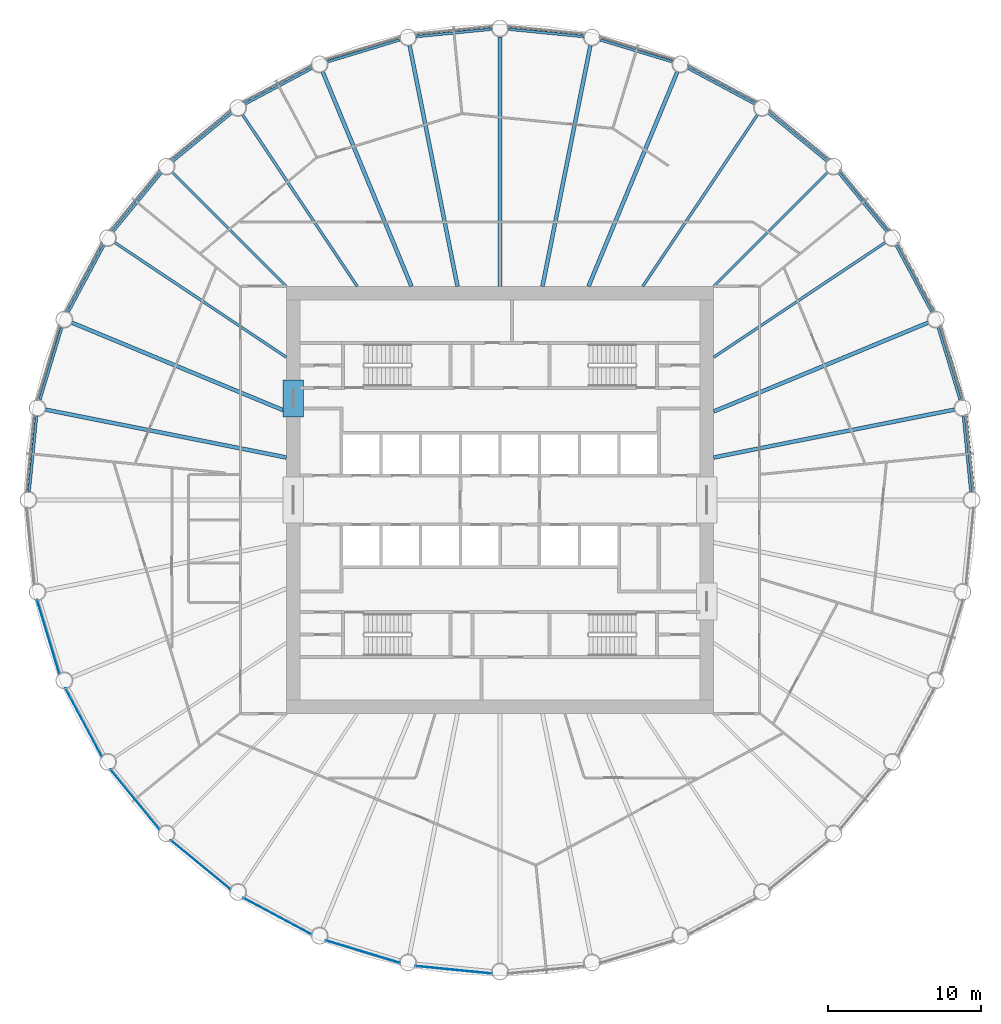
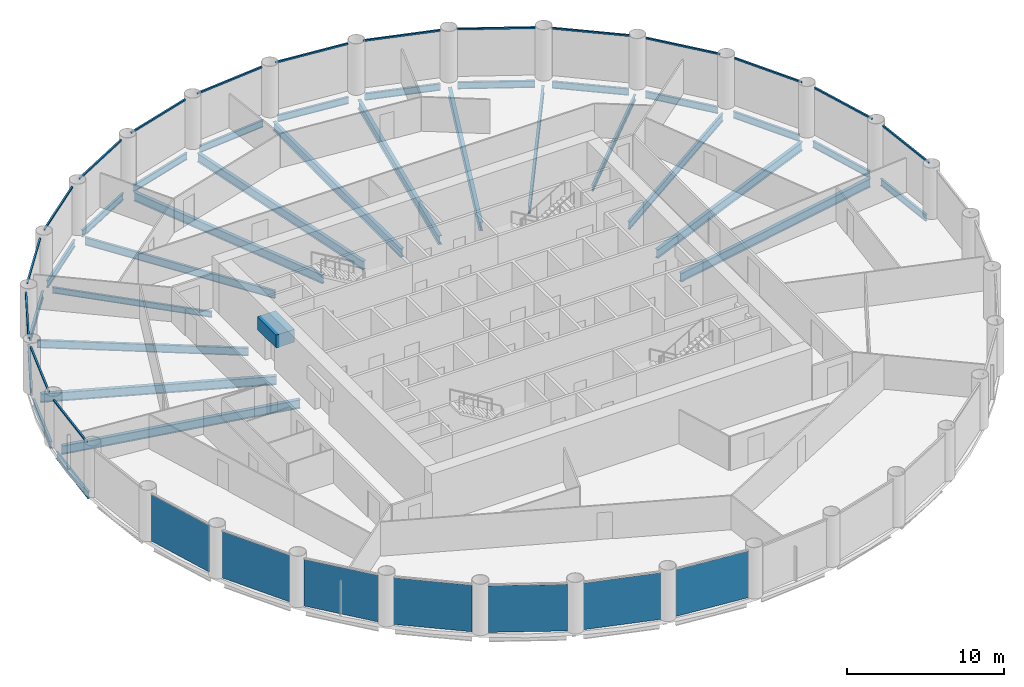
# One storey, part 2 of 9: 32 beams, 16 members, 7 plates, 23 elements without a shape of their own.
"""IFC4 building model written with IfcOpenShell, lengths in metres."""

from ifc_helpers import new_model, si_unit, direction, frame, origin, origin_2d, place, context, subcontext, project, spatial, rectangle, i_section, extrude, material, layer, layer_set, material_profile, profile_set, type_object, element, aggregate, save


model = new_model("IFC4")

# Units and contexts
model_context = context("Model", 3, precision=1e-05, world=origin(), true_north=direction((0.0, 1.0)))
body_context = subcontext(model_context, "Body", "Model", "MODEL_VIEW")
ifc_project = project(units=[si_unit("LENGTHUNIT", "METRE"), si_unit("AREAUNIT", "SQUARE_METRE"), si_unit("VOLUMEUNIT", "CUBIC_METRE"), si_unit("PLANEANGLEUNIT", "RADIAN"), si_unit("MASSUNIT", "GRAM", prefix="KILO")], contexts=[model_context])

# Site, building, storey
site_placement = place(None, origin())
site = spatial("IfcSite", under=ifc_project, at=site_placement, CompositionType="ELEMENT")
building_placement = place(site_placement, origin())
building = spatial("IfcBuilding", under=site, at=building_placement, Name="Corvane Civic Tower", CompositionType="ELEMENT")
storey_placement = place(building_placement, frame((0.0, 0.0, 192.0)))
storey = spatial("IfcBuildingStorey", under=building, at=storey_placement, Name="L45", CompositionType="ELEMENT", Elevation=192.0)

# Beams
ifc_material_1 = material(Name="Concrete C60/75", Category="concrete")
ifc_material_profile_1 = material_profile(ifc_material_1, rectangle(XDim=1.35009765625, YDim=1.0, at=origin_2d()), Name="COUPLING BEAM 1350X1000")
ifc_profile_set_1 = profile_set([ifc_material_profile_1], Name="Concrete C60/75")
beam_type_1 = type_object("IfcBeamType", Name="COUPLING BEAM COUPLING BEAM 1350X1000", PredefinedType="BEAM", material=ifc_profile_set_1)
beam_1_placement = place(storey_placement, frame((-13.550048828125, 5.449951171875, 2.60009765625), z_axis=(0.0, 1.0, 0.0), x_axis=(-1.0, 0.0, 0.0)))
element("IfcBeam", 1, at=beam_1_placement, inside=storey, type_object=beam_type_1, Name="BM-L45-cpl-CW-WN", PredefinedType="BEAM", context=body_context, shape_type="SweptSolid", body=[
    extrude(rectangle(XDim=1.35009765625, YDim=1.0, at=origin_2d()), origin(), (0.0, 0.0, 1.0), 2.400146484375),
])
ifc_material_2 = material(Name="Steel ASTM A992 Gr 50", Category="steel")
ifc_material_profile_2 = material_profile(ifc_material_2, i_section(OverallWidth=0.165771484375, OverallDepth=0.5283203125, WebThickness=0.009765625, FlangeThickness=0.013671875, at=origin_2d()), Name="W21X50")
ifc_profile_set_2 = profile_set([ifc_material_profile_2], Name="Steel ASTM A992 Gr 50")
beam_type_2 = type_object("IfcBeamType", Name="EDGE BEAM W21X50", PredefinedType="BEAM", material=ifc_profile_set_2)
beam_2_placement = place(storey_placement, frame((0.54736328125, 30.845947265625, -0.564208984375), z_axis=(0.995186236294, -0.09800181167, 0.0), x_axis=(0.09800181167, 0.995186236294, 0.0)))
element("IfcBeam", 2, at=beam_2_placement, inside=storey, type_object=beam_type_2, Name="BM-L45-E01", PredefinedType="BEAM", context=body_context, shape_type="SweptSolid", body=[
    extrude(i_section(OverallWidth=0.165771484375, OverallDepth=0.5283203125, WebThickness=0.009765625, FlangeThickness=0.013671875, at=origin_2d()), origin(), (0.0, 0.0, 1.0), 4.95751953125),
])
beam_3_placement = place(storey_placement, frame((6.5546875, 30.146484375, -0.564208984375), z_axis=(0.956944842086, -0.290269821381, 0.0), x_axis=(0.290269821381, 0.956944842086, 0.0)))
element("IfcBeam", 3, at=beam_3_placement, inside=storey, type_object=beam_type_2, Name="BM-L45-E02", PredefinedType="BEAM", context=body_context, shape_type="SweptSolid", body=[
    extrude(i_section(OverallWidth=0.165771484375, OverallDepth=0.5283203125, WebThickness=0.009765625, FlangeThickness=0.013671875, at=origin_2d()), origin(), (0.0, 0.0, 1.0), 4.957275390625),
])
for number, where, z_axis, x_axis, name in (
    (4, (12.31005859375, 28.28857421875, -0.564208984375), (0.881921784846, -0.471395763042, 0.0), (0.471395763042, 0.881921784846, 0.0), "BM-L45-E03"),
    (5, (17.59228515625, 25.343505859375, -0.564208984375), (0.77301516208, -0.634387546532, 0.0), (0.634387546532, 0.77301516208, 0.0), "BM-L45-E04"),
    (6, (22.198486328125, 21.424560546875, -0.564208984375), (0.634387546532, -0.77301516208, 0.0), (0.77301516208, 0.634387546532, 0.0), "BM-L45-E05"),
    (7, (25.95166015625, 16.68212890625, -0.564208984375), (0.471395763042, -0.881921784846, 0.0), (0.881921784846, 0.471395763042, 0.0), "BM-L45-E06"),
):
    element("IfcBeam", number, at=place(storey_placement, frame(where, z_axis=z_axis, x_axis=x_axis)), inside=storey, type_object=beam_type_2, Name=name, PredefinedType="BEAM", context=body_context, shape_type="SweptSolid", body=[
        extrude(i_section(OverallWidth=0.165771484375, OverallDepth=0.5283203125, WebThickness=0.009765625, FlangeThickness=0.013671875, at=origin_2d()), origin(), (0.0, 0.0, 1.0), 4.95751953125),
    ])
beam_4_placement = place(storey_placement, frame((28.70751953125, 11.298583984375, -0.564208984375), z_axis=(0.290269821381, -0.956944842086, 0.0), x_axis=(0.956944842086, 0.290269821381, 0.0)))
element("IfcBeam", 8, at=beam_4_placement, inside=storey, type_object=beam_type_2, Name="BM-L45-E07", PredefinedType="BEAM", context=body_context, shape_type="SweptSolid", body=[
    extrude(i_section(OverallWidth=0.165771484375, OverallDepth=0.5283203125, WebThickness=0.009765625, FlangeThickness=0.013671875, at=origin_2d()), origin(), (0.0, 0.0, 1.0), 4.957275390625),
])
for number, where, z_axis, x_axis, name in (
    (9, (30.360107421875, 5.48095703125, -0.564208984375), (0.09800181167, -0.995186236294, 0.0), (0.995186236294, 0.09800181167, 0.0), "BM-L45-E08"),
    (10, (-30.845947265625, 0.54736328125, -0.564208984375), (0.09800181167, 0.995186236294, 0.0), (-0.995186236294, 0.09800181167, 0.0), "BM-L45-E25"),
):
    element("IfcBeam", number, at=place(storey_placement, frame(where, z_axis=z_axis, x_axis=x_axis)), inside=storey, type_object=beam_type_2, Name=name, PredefinedType="BEAM", context=body_context, shape_type="SweptSolid", body=[
        extrude(i_section(OverallWidth=0.165771484375, OverallDepth=0.5283203125, WebThickness=0.009765625, FlangeThickness=0.013671875, at=origin_2d()), origin(), (0.0, 0.0, 1.0), 4.95751953125),
    ])
beam_5_placement = place(storey_placement, frame((-30.146484375, 6.5546875, -0.564208984375), z_axis=(0.290269821381, 0.956944842086, 0.0), x_axis=(-0.956944842086, 0.290269821381, 0.0)))
element("IfcBeam", 11, at=beam_5_placement, inside=storey, type_object=beam_type_2, Name="BM-L45-E26", PredefinedType="BEAM", context=body_context, shape_type="SweptSolid", body=[
    extrude(i_section(OverallWidth=0.165771484375, OverallDepth=0.5283203125, WebThickness=0.009765625, FlangeThickness=0.013671875, at=origin_2d()), origin(), (0.0, 0.0, 1.0), 4.957275390625),
])
for number, where, z_axis, x_axis, name in (
    (12, (-28.28857421875, 12.31005859375, -0.564208984375), (0.471395763042, 0.881921784846, 0.0), (-0.881921784846, 0.471395763042, 0.0), "BM-L45-E27"),
    (13, (-25.343505859375, 17.59228515625, -0.564208984375), (0.634387546532, 0.77301516208, 0.0), (-0.77301516208, 0.634387546532, 0.0), "BM-L45-E28"),
    (14, (-21.424560546875, 22.198486328125, -0.564208984375), (0.77301516208, 0.634387546532, 0.0), (-0.634387546532, 0.77301516208, 0.0), "BM-L45-E29"),
    (15, (-16.68212890625, 25.95166015625, -0.564208984375), (0.881921784846, 0.471395763042, 0.0), (-0.471395763042, 0.881921784846, 0.0), "BM-L45-E30"),
):
    element("IfcBeam", number, at=place(storey_placement, frame(where, z_axis=z_axis, x_axis=x_axis)), inside=storey, type_object=beam_type_2, Name=name, PredefinedType="BEAM", context=body_context, shape_type="SweptSolid", body=[
        extrude(i_section(OverallWidth=0.165771484375, OverallDepth=0.5283203125, WebThickness=0.009765625, FlangeThickness=0.013671875, at=origin_2d()), origin(), (0.0, 0.0, 1.0), 4.95751953125),
    ])
beam_6_placement = place(storey_placement, frame((-11.298583984375, 28.70751953125, -0.564208984375), z_axis=(0.956944842086, 0.290269821381, 0.0), x_axis=(-0.290269821381, 0.956944842086, 0.0)))
element("IfcBeam", 16, at=beam_6_placement, inside=storey, type_object=beam_type_2, Name="BM-L45-E31", PredefinedType="BEAM", context=body_context, shape_type="SweptSolid", body=[
    extrude(i_section(OverallWidth=0.165771484375, OverallDepth=0.5283203125, WebThickness=0.009765625, FlangeThickness=0.013671875, at=origin_2d()), origin(), (0.0, 0.0, 1.0), 4.957275390625),
])
beam_7_placement = place(storey_placement, frame((-5.48095703125, 30.360107421875, -0.564208984375), z_axis=(0.995186236294, 0.09800181167, 0.0), x_axis=(-0.09800181167, 0.995186236294, 0.0)))
element("IfcBeam", 17, at=beam_7_placement, inside=storey, type_object=beam_type_2, Name="BM-L45-E32", PredefinedType="BEAM", context=body_context, shape_type="SweptSolid", body=[
    extrude(i_section(OverallWidth=0.165771484375, OverallDepth=0.5283203125, WebThickness=0.009765625, FlangeThickness=0.013671875, at=origin_2d()), origin(), (0.0, 0.0, 1.0), 4.95751953125),
])
ifc_material_3 = material(Name="Steel ASTM A992 Gr 50", Category="steel")
ifc_material_profile_3 = material_profile(ifc_material_3, i_section(OverallWidth=0.15283203125, OverallDepth=0.45458984375, WebThickness=0.008056640625, FlangeThickness=0.013427734375, at=origin_2d()), Name="W18X40")
ifc_profile_set_3 = profile_set([ifc_material_profile_3], Name="Steel ASTM A992 Gr 50")
beam_type_3 = type_object("IfcBeamType", Name="FLOOR GIRDER W18X40", PredefinedType="BEAM", material=ifc_profile_set_3)
for number, where, z_axis, x_axis, name in (
    (18, (14.0, 14.0, -0.52734375), (0.707106781187, 0.707106781187, 0.0), (-0.707106781187, 0.707106781187, 0.0), "BM-L45-G05"),
    (19, (-14.0, 14.0, -0.52734375), (-0.707106781187, 0.707106781187, 0.0), (-0.707106781187, -0.707106781187, 0.0), "BM-L45-G29"),
):
    element("IfcBeam", number, at=place(storey_placement, frame(where, z_axis=z_axis, x_axis=x_axis)), inside=storey, type_object=beam_type_3, Name=name, PredefinedType="BEAM", context=body_context, shape_type="SweptSolid", body=[
        extrude(i_section(OverallWidth=0.15283203125, OverallDepth=0.45458984375, WebThickness=0.008056640625, FlangeThickness=0.013427734375, at=origin_2d()), origin(), (0.0, 0.0, 1.0), 10.551025390625),
    ])
ifc_material_4 = material(Name="Steel ASTM A992 Gr 50", Category="steel")
ifc_material_profile_4 = material_profile(ifc_material_4, i_section(OverallWidth=0.177978515625, OverallDepth=0.599365234375, WebThickness=0.010009765625, FlangeThickness=0.012939453125, at=origin_2d()), Name="W24X55")
ifc_profile_set_4 = profile_set([ifc_material_profile_4], Name="Steel ASTM A992 Gr 50")
beam_type_4 = type_object("IfcBeamType", Name="FLOOR GIRDER W24X55", PredefinedType="BEAM", material=ifc_profile_set_4)
for number, where, z_axis, x_axis, name in (
    (20, (9.3544921875, 14.0, -0.599609375), (0.555571323015, 0.83146888399, 0.0), (-0.83146888399, 0.555571323015, 0.0), "BM-L45-G04"),
    (21, (14.0, 9.3544921875, -0.599609375), (0.83146888399, 0.555571323015, 0.0), (-0.555571323015, 0.83146888399, 0.0), "BM-L45-G06"),
    (22, (-14.0, 9.3544921875, -0.599609375), (-0.83146888399, 0.555571323015, 0.0), (-0.555571323015, -0.83146888399, 0.0), "BM-L45-G28"),
    (23, (-9.3544921875, 14.0, -0.599609375), (-0.555571323015, 0.83146888399, 0.0), (-0.83146888399, -0.555571323015, 0.0), "BM-L45-G30"),
):
    element("IfcBeam", number, at=place(storey_placement, frame(where, z_axis=z_axis, x_axis=x_axis)), inside=storey, type_object=beam_type_4, Name=name, PredefinedType="BEAM", context=body_context, shape_type="SweptSolid", body=[
        extrude(i_section(OverallWidth=0.177978515625, OverallDepth=0.599365234375, WebThickness=0.010009765625, FlangeThickness=0.012939453125, at=origin_2d()), origin(), (0.0, 0.0, 1.0), 13.512451171875),
    ])
ifc_material_5 = material(Name="Steel ASTM A992 Gr 50", Category="steel")
ifc_material_profile_5 = material_profile(ifc_material_5, i_section(OverallWidth=0.25390625, OverallDepth=0.67822265625, WebThickness=0.01171875, FlangeThickness=0.016357421875, at=origin_2d()), Name="W27X84")
ifc_profile_set_5 = profile_set([ifc_material_profile_5], Name="Steel ASTM A992 Gr 50")
beam_type_5 = type_object("IfcBeamType", Name="FLOOR GIRDER W27X84", PredefinedType="BEAM", material=ifc_profile_set_5)
beam_8_placement = place(storey_placement, frame((0.0, 14.0, -0.63916015625), z_axis=(0.0, 1.0, 0.0), x_axis=(-1.0, 0.0, 0.0)))
element("IfcBeam", 24, at=beam_8_placement, inside=storey, type_object=beam_type_5, Name="BM-L45-G01", PredefinedType="BEAM", context=body_context, shape_type="SweptSolid", body=[
    extrude(i_section(OverallWidth=0.25390625, OverallDepth=0.67822265625, WebThickness=0.01171875, FlangeThickness=0.016357421875, at=origin_2d()), origin(), (0.0, 0.0, 1.0), 16.35009765625),
])
beam_9_placement = place(storey_placement, frame((2.78466796875, 14.0, -0.63916015625), z_axis=(0.195090912248, 0.980785162999, 0.0), x_axis=(-0.980785162999, 0.195090912248, 0.0)))
element("IfcBeam", 25, at=beam_9_placement, inside=storey, type_object=beam_type_5, Name="BM-L45-G02", PredefinedType="BEAM", context=body_context, shape_type="SweptSolid", body=[
    extrude(i_section(OverallWidth=0.25390625, OverallDepth=0.67822265625, WebThickness=0.01171875, FlangeThickness=0.016357421875, at=origin_2d()), origin(), (0.0, 0.0, 1.0), 16.07568359375),
])
for number, where, z_axis, x_axis, name in (
    (26, (5.799072265625, 14.0, -0.63916015625), (0.38268097323, 0.923880551114, 0.0), (-0.923880551114, 0.38268097323, 0.0), "BM-L45-G03"),
    (27, (14.0, 5.799072265625, -0.63916015625), (0.923880551114, 0.38268097323, 0.0), (-0.38268097323, 0.923880551114, 0.0), "BM-L45-G07"),
):
    element("IfcBeam", number, at=place(storey_placement, frame(where, z_axis=z_axis, x_axis=x_axis)), inside=storey, type_object=beam_type_5, Name=name, PredefinedType="BEAM", context=body_context, shape_type="SweptSolid", body=[
        extrude(i_section(OverallWidth=0.25390625, OverallDepth=0.67822265625, WebThickness=0.01171875, FlangeThickness=0.016357421875, at=origin_2d()), origin(), (0.0, 0.0, 1.0), 15.196533203125),
    ])
for number, where, z_axis, x_axis, name in (
    (28, (14.0, 2.78466796875, -0.63916015625), (0.980785162999, 0.195090912248, 0.0), (-0.195090912248, 0.980785162999, 0.0), "BM-L45-G08"),
    (29, (-14.0, 2.78466796875, -0.63916015625), (-0.980785162999, 0.195090912248, 0.0), (-0.195090912248, -0.980785162999, 0.0), "BM-L45-G26"),
):
    element("IfcBeam", number, at=place(storey_placement, frame(where, z_axis=z_axis, x_axis=x_axis)), inside=storey, type_object=beam_type_5, Name=name, PredefinedType="BEAM", context=body_context, shape_type="SweptSolid", body=[
        extrude(i_section(OverallWidth=0.25390625, OverallDepth=0.67822265625, WebThickness=0.01171875, FlangeThickness=0.016357421875, at=origin_2d()), origin(), (0.0, 0.0, 1.0), 16.07568359375),
    ])
for number, where, z_axis, x_axis, name in (
    (30, (-14.0, 5.799072265625, -0.63916015625), (-0.923880551114, 0.38268097323, 0.0), (-0.38268097323, -0.923880551114, 0.0), "BM-L45-G27"),
    (31, (-5.799072265625, 14.0, -0.63916015625), (-0.38268097323, 0.923880551114, 0.0), (-0.923880551114, -0.38268097323, 0.0), "BM-L45-G31"),
):
    element("IfcBeam", number, at=place(storey_placement, frame(where, z_axis=z_axis, x_axis=x_axis)), inside=storey, type_object=beam_type_5, Name=name, PredefinedType="BEAM", context=body_context, shape_type="SweptSolid", body=[
        extrude(i_section(OverallWidth=0.25390625, OverallDepth=0.67822265625, WebThickness=0.01171875, FlangeThickness=0.016357421875, at=origin_2d()), origin(), (0.0, 0.0, 1.0), 15.196533203125),
    ])
beam_10_placement = place(storey_placement, frame((-2.78466796875, 14.0, -0.63916015625), z_axis=(-0.195090912248, 0.980785162999, 0.0), x_axis=(-0.980785162999, -0.195090912248, 0.0)))
element("IfcBeam", 32, at=beam_10_placement, inside=storey, type_object=beam_type_5, Name="BM-L45-G32", PredefinedType="BEAM", context=body_context, shape_type="SweptSolid", body=[
    extrude(i_section(OverallWidth=0.25390625, OverallDepth=0.67822265625, WebThickness=0.01171875, FlangeThickness=0.016357421875, at=origin_2d()), origin(), (0.0, 0.0, 1.0), 16.07568359375),
])

# Curtain wall, member
ifc_material_6 = material(Name="Anodised aluminium bronze", Category="aluminium")
curtain_wall_type = type_object("IfcCurtainWallType", Name="TOWER CW-T2 STICK CURTAIN WALL", PredefinedType="NOTDEFINED", material=ifc_material_6)
curtain_wall_1_placement = place(storey_placement, origin())
curtain_wall_1 = element("IfcCurtainWall", 33, at=curtain_wall_1_placement, inside=storey, type_object=curtain_wall_type, Name="Curtain wall CW-T2 L45 bay 01", PredefinedType="NOTDEFINED")
ifc_material_7 = material(Name="Anodised aluminium bronze", Category="aluminium")
ifc_material_profile_6 = material_profile(ifc_material_7, rectangle(XDim=0.1201171875, YDim=0.1201171875, at=origin_2d()), Name="TOWER CW-T2 TRANSOM 120x120")
ifc_profile_set_6 = profile_set([ifc_material_profile_6], Name="Anodised aluminium bronze")
member_type = type_object("IfcMemberType", Name="TOWER CW-T2 TRANSOM 120x120", PredefinedType="USERDEFINED", material=ifc_profile_set_6)
member_1_placement = place(storey_placement, frame((0.505126953125, 31.0302734375, 3.68994140625), z_axis=(0.995187423416, -0.097989755963, 0.0), x_axis=(0.097989755963, 0.995187423416, 0.0)))
member_1 = element("IfcMember", 34, at=member_1_placement, type_object=member_type, Name="Transom CW-T2 L45 01.1", ObjectType="TRANSOM", PredefinedType="USERDEFINED", context=body_context, shape_type="SweptSolid", body=[
    extrude(rectangle(XDim=0.1201171875, YDim=0.1201171875, at=origin_2d()), origin(), (0.0, 0.0, 1.0), 5.07763671875),
])
aggregate(curtain_wall_1, [member_1])

curtain_wall_2_placement = place(storey_placement, origin())
curtain_wall_2 = element("IfcCurtainWall", 35, at=curtain_wall_2_placement, inside=storey, type_object=curtain_wall_type, Name="Curtain wall CW-T2 L45 bay 02", PredefinedType="NOTDEFINED")
member_2_placement = place(storey_placement, frame((6.54931640625, 30.33544921875, 3.68994140625), z_axis=(0.956939031389, -0.290288977061, 0.0), x_axis=(0.290288977061, 0.956939031389, 0.0)))
member_2 = element("IfcMember", 36, at=member_2_placement, type_object=member_type, Name="Transom CW-T2 L45 02.1", ObjectType="TRANSOM", PredefinedType="USERDEFINED", context=body_context, shape_type="SweptSolid", body=[
    extrude(rectangle(XDim=0.1201171875, YDim=0.1201171875, at=origin_2d()), origin(), (0.0, 0.0, 1.0), 5.077392578125),
])
aggregate(curtain_wall_2, [member_2])

curtain_wall_3_placement = place(storey_placement, origin())
curtain_wall_3 = element("IfcCurtainWall", 37, at=curtain_wall_3_placement, inside=storey, type_object=curtain_wall_type, Name="Curtain wall CW-T2 L45 bay 03", PredefinedType="NOTDEFINED")
member_3_placement = place(storey_placement, frame((12.341552734375, 28.474853515625, 3.68994140625), z_axis=(0.881921329426, -0.471396615074, 0.0), x_axis=(0.471396615074, 0.881921329426, 0.0)))
member_3 = element("IfcMember", 38, at=member_3_placement, type_object=member_type, Name="Transom CW-T2 L45 03.1", ObjectType="TRANSOM", PredefinedType="USERDEFINED", context=body_context, shape_type="SweptSolid", body=[
    extrude(rectangle(XDim=0.1201171875, YDim=0.1201171875, at=origin_2d()), origin(), (0.0, 0.0, 1.0), 5.07763671875),
])
aggregate(curtain_wall_3, [member_3])

curtain_wall_4_placement = place(storey_placement, origin())
curtain_wall_4 = element("IfcCurtainWall", 39, at=curtain_wall_4_placement, inside=storey, type_object=curtain_wall_type, Name="Curtain wall CW-T2 L45 bay 04", PredefinedType="NOTDEFINED")
member_4_placement = place(storey_placement, frame((17.65966796875, 25.519775390625, 3.68994140625), z_axis=(0.773015929719, -0.634386611146, 0.0), x_axis=(0.634386611146, 0.773015929719, 0.0)))
member_4 = element("IfcMember", 40, at=member_4_placement, type_object=member_type, Name="Transom CW-T2 L45 04.1", ObjectType="TRANSOM", PredefinedType="USERDEFINED", context=body_context, shape_type="SweptSolid", body=[
    extrude(rectangle(XDim=0.1201171875, YDim=0.1201171875, at=origin_2d()), origin(), (0.0, 0.0, 1.0), 5.0771484375),
])
aggregate(curtain_wall_4, [member_4])

curtain_wall_5_placement = place(storey_placement, origin())
curtain_wall_5 = element("IfcCurtainWall", 41, at=curtain_wall_5_placement, inside=storey, type_object=curtain_wall_type, Name="Curtain wall CW-T2 L45 bay 05", PredefinedType="NOTDEFINED")
member_5_placement = place(storey_placement, frame((22.298828125, 21.58447265625, 3.68994140625), z_axis=(0.634386611146, -0.773015929719, 0.0), x_axis=(0.773015929719, 0.634386611146, 0.0)))
member_5 = element("IfcMember", 42, at=member_5_placement, type_object=member_type, Name="Transom CW-T2 L45 05.1", ObjectType="TRANSOM", PredefinedType="USERDEFINED", context=body_context, shape_type="SweptSolid", body=[
    extrude(rectangle(XDim=0.1201171875, YDim=0.1201171875, at=origin_2d()), origin(), (0.0, 0.0, 1.0), 5.0771484375),
])
aggregate(curtain_wall_5, [member_5])

curtain_wall_6_placement = place(storey_placement, origin())
curtain_wall_6 = element("IfcCurtainWall", 43, at=curtain_wall_6_placement, inside=storey, type_object=curtain_wall_type, Name="Curtain wall CW-T2 L45 bay 06", PredefinedType="NOTDEFINED")
member_6_placement = place(storey_placement, frame((26.081298828125, 16.819580078125, 3.68994140625), z_axis=(0.471396615074, -0.881921329426, 0.0), x_axis=(0.881921329426, 0.471396615074, 0.0)))
member_6 = element("IfcMember", 44, at=member_6_placement, type_object=member_type, Name="Transom CW-T2 L45 06.1", ObjectType="TRANSOM", PredefinedType="USERDEFINED", context=body_context, shape_type="SweptSolid", body=[
    extrude(rectangle(XDim=0.1201171875, YDim=0.1201171875, at=origin_2d()), origin(), (0.0, 0.0, 1.0), 5.07763671875),
])
aggregate(curtain_wall_6, [member_6])

curtain_wall_7_placement = place(storey_placement, origin())
curtain_wall_7 = element("IfcCurtainWall", 45, at=curtain_wall_7_placement, inside=storey, type_object=curtain_wall_type, Name="Curtain wall CW-T2 L45 bay 07", PredefinedType="NOTDEFINED")
member_7_placement = place(storey_placement, frame((28.861572265625, 11.407958984375, 3.68994140625), z_axis=(0.290288977061, -0.956939031389, 0.0), x_axis=(0.956939031389, 0.290288977061, 0.0)))
member_7 = element("IfcMember", 46, at=member_7_placement, type_object=member_type, Name="Transom CW-T2 L45 07.1", ObjectType="TRANSOM", PredefinedType="USERDEFINED", context=body_context, shape_type="SweptSolid", body=[
    extrude(rectangle(XDim=0.1201171875, YDim=0.1201171875, at=origin_2d()), origin(), (0.0, 0.0, 1.0), 5.077392578125),
])
aggregate(curtain_wall_7, [member_7])

curtain_wall_8_placement = place(storey_placement, origin())
curtain_wall_8 = element("IfcCurtainWall", 47, at=curtain_wall_8_placement, inside=storey, type_object=curtain_wall_type, Name="Curtain wall CW-T2 L45 bay 08", PredefinedType="NOTDEFINED")
member_8_placement = place(storey_placement, frame((30.53271484375, 5.558349609375, 3.68994140625), z_axis=(0.097989755963, -0.995187423416, 0.0), x_axis=(0.995187423416, 0.097989755963, 0.0)))
member_8 = element("IfcMember", 48, at=member_8_placement, type_object=member_type, Name="Transom CW-T2 L45 08.1", ObjectType="TRANSOM", PredefinedType="USERDEFINED", context=body_context, shape_type="SweptSolid", body=[
    extrude(rectangle(XDim=0.1201171875, YDim=0.1201171875, at=origin_2d()), origin(), (0.0, 0.0, 1.0), 5.07763671875),
])
aggregate(curtain_wall_8, [member_8])

curtain_wall_9_placement = place(storey_placement, origin())
curtain_wall_9 = element("IfcCurtainWall", 49, at=curtain_wall_9_placement, inside=storey, type_object=curtain_wall_type, Name="Curtain wall CW-T2 L45 bay 25", PredefinedType="NOTDEFINED")
member_9_placement = place(storey_placement, frame((-31.0302734375, 0.505126953125, 3.68994140625), z_axis=(0.097989755963, 0.995187423416, 0.0), x_axis=(-0.995187423416, 0.097989755963, 0.0)))
member_9 = element("IfcMember", 50, at=member_9_placement, type_object=member_type, Name="Transom CW-T2 L45 25.1", ObjectType="TRANSOM", PredefinedType="USERDEFINED", context=body_context, shape_type="SweptSolid", body=[
    extrude(rectangle(XDim=0.1201171875, YDim=0.1201171875, at=origin_2d()), origin(), (0.0, 0.0, 1.0), 5.07763671875),
])
aggregate(curtain_wall_9, [member_9])

curtain_wall_10_placement = place(storey_placement, origin())
curtain_wall_10 = element("IfcCurtainWall", 51, at=curtain_wall_10_placement, inside=storey, type_object=curtain_wall_type, Name="Curtain wall CW-T2 L45 bay 26", PredefinedType="NOTDEFINED")
member_10_placement = place(storey_placement, frame((-30.33544921875, 6.54931640625, 3.68994140625), z_axis=(0.290288977061, 0.956939031389, 0.0), x_axis=(-0.956939031389, 0.290288977061, 0.0)))
member_10 = element("IfcMember", 52, at=member_10_placement, type_object=member_type, Name="Transom CW-T2 L45 26.1", ObjectType="TRANSOM", PredefinedType="USERDEFINED", context=body_context, shape_type="SweptSolid", body=[
    extrude(rectangle(XDim=0.1201171875, YDim=0.1201171875, at=origin_2d()), origin(), (0.0, 0.0, 1.0), 5.077392578125),
])
aggregate(curtain_wall_10, [member_10])

curtain_wall_11_placement = place(storey_placement, origin())
curtain_wall_11 = element("IfcCurtainWall", 53, at=curtain_wall_11_placement, inside=storey, type_object=curtain_wall_type, Name="Curtain wall CW-T2 L45 bay 27", PredefinedType="NOTDEFINED")
member_11_placement = place(storey_placement, frame((-28.474853515625, 12.341552734375, 3.68994140625), z_axis=(0.471396615074, 0.881921329426, 0.0), x_axis=(-0.881921329426, 0.471396615074, 0.0)))
member_11 = element("IfcMember", 54, at=member_11_placement, type_object=member_type, Name="Transom CW-T2 L45 27.1", ObjectType="TRANSOM", PredefinedType="USERDEFINED", context=body_context, shape_type="SweptSolid", body=[
    extrude(rectangle(XDim=0.1201171875, YDim=0.1201171875, at=origin_2d()), origin(), (0.0, 0.0, 1.0), 5.07763671875),
])
aggregate(curtain_wall_11, [member_11])

curtain_wall_12_placement = place(storey_placement, origin())
curtain_wall_12 = element("IfcCurtainWall", 55, at=curtain_wall_12_placement, inside=storey, type_object=curtain_wall_type, Name="Curtain wall CW-T2 L45 bay 28", PredefinedType="NOTDEFINED")
member_12_placement = place(storey_placement, frame((-25.519775390625, 17.65966796875, 3.68994140625), z_axis=(0.634386611146, 0.773015929719, 0.0), x_axis=(-0.773015929719, 0.634386611146, 0.0)))
member_12 = element("IfcMember", 56, at=member_12_placement, type_object=member_type, Name="Transom CW-T2 L45 28.1", ObjectType="TRANSOM", PredefinedType="USERDEFINED", context=body_context, shape_type="SweptSolid", body=[
    extrude(rectangle(XDim=0.1201171875, YDim=0.1201171875, at=origin_2d()), origin(), (0.0, 0.0, 1.0), 5.0771484375),
])
aggregate(curtain_wall_12, [member_12])

curtain_wall_13_placement = place(storey_placement, origin())
curtain_wall_13 = element("IfcCurtainWall", 57, at=curtain_wall_13_placement, inside=storey, type_object=curtain_wall_type, Name="Curtain wall CW-T2 L45 bay 29", PredefinedType="NOTDEFINED")
member_13_placement = place(storey_placement, frame((-21.58447265625, 22.298828125, 3.68994140625), z_axis=(0.773015929719, 0.634386611146, 0.0), x_axis=(-0.634386611146, 0.773015929719, 0.0)))
member_13 = element("IfcMember", 58, at=member_13_placement, type_object=member_type, Name="Transom CW-T2 L45 29.1", ObjectType="TRANSOM", PredefinedType="USERDEFINED", context=body_context, shape_type="SweptSolid", body=[
    extrude(rectangle(XDim=0.1201171875, YDim=0.1201171875, at=origin_2d()), origin(), (0.0, 0.0, 1.0), 5.0771484375),
])
aggregate(curtain_wall_13, [member_13])

curtain_wall_14_placement = place(storey_placement, origin())
curtain_wall_14 = element("IfcCurtainWall", 59, at=curtain_wall_14_placement, inside=storey, type_object=curtain_wall_type, Name="Curtain wall CW-T2 L45 bay 30", PredefinedType="NOTDEFINED")
member_14_placement = place(storey_placement, frame((-16.819580078125, 26.081298828125, 3.68994140625), z_axis=(0.881921329426, 0.471396615074, 0.0), x_axis=(-0.471396615074, 0.881921329426, 0.0)))
member_14 = element("IfcMember", 60, at=member_14_placement, type_object=member_type, Name="Transom CW-T2 L45 30.1", ObjectType="TRANSOM", PredefinedType="USERDEFINED", context=body_context, shape_type="SweptSolid", body=[
    extrude(rectangle(XDim=0.1201171875, YDim=0.1201171875, at=origin_2d()), origin(), (0.0, 0.0, 1.0), 5.07763671875),
])
aggregate(curtain_wall_14, [member_14])

curtain_wall_15_placement = place(storey_placement, origin())
curtain_wall_15 = element("IfcCurtainWall", 61, at=curtain_wall_15_placement, inside=storey, type_object=curtain_wall_type, Name="Curtain wall CW-T2 L45 bay 31", PredefinedType="NOTDEFINED")
member_15_placement = place(storey_placement, frame((-11.407958984375, 28.861572265625, 3.68994140625), z_axis=(0.956939031389, 0.290288977061, 0.0), x_axis=(-0.290288977061, 0.956939031389, 0.0)))
member_15 = element("IfcMember", 62, at=member_15_placement, type_object=member_type, Name="Transom CW-T2 L45 31.1", ObjectType="TRANSOM", PredefinedType="USERDEFINED", context=body_context, shape_type="SweptSolid", body=[
    extrude(rectangle(XDim=0.1201171875, YDim=0.1201171875, at=origin_2d()), origin(), (0.0, 0.0, 1.0), 5.077392578125),
])
aggregate(curtain_wall_15, [member_15])

curtain_wall_16_placement = place(storey_placement, origin())
curtain_wall_16 = element("IfcCurtainWall", 63, at=curtain_wall_16_placement, inside=storey, type_object=curtain_wall_type, Name="Curtain wall CW-T2 L45 bay 32", PredefinedType="NOTDEFINED")
member_16_placement = place(storey_placement, frame((-5.558349609375, 30.53271484375, 3.68994140625), z_axis=(0.995187423416, 0.097989755963, 0.0), x_axis=(-0.097989755963, 0.995187423416, 0.0)))
member_16 = element("IfcMember", 64, at=member_16_placement, type_object=member_type, Name="Transom CW-T2 L45 32.1", ObjectType="TRANSOM", PredefinedType="USERDEFINED", context=body_context, shape_type="SweptSolid", body=[
    extrude(rectangle(XDim=0.1201171875, YDim=0.1201171875, at=origin_2d()), origin(), (0.0, 0.0, 1.0), 5.07763671875),
])
aggregate(curtain_wall_16, [member_16])

# Curtain wall, plate
curtain_wall_17_placement = place(storey_placement, origin())
curtain_wall_17 = element("IfcCurtainWall", 65, at=curtain_wall_17_placement, inside=storey, type_object=curtain_wall_type, Name="Curtain wall CW-T2 L45 bay 17", PredefinedType="NOTDEFINED")
ifc_material_8 = material(Name="Tinted glass", Category="glass")
ifc_layer = layer(ifc_material_8, 0.031982421875)
ifc_layer_set = layer_set([ifc_layer], Name="Tinted glass")
plate_type = type_object("IfcPlateType", Name="TOWER CW-T2 PANEL IGU32", PredefinedType="CURTAIN_PANEL", material=ifc_layer_set)
plate_1_placement = place(storey_placement, frame((-3.03173828125, -30.781494140625, 0.0), z_axis=(0.0, 0.0, 1.0), x_axis=(-0.995185244531, 0.098011882274, 0.0)))
plate_1 = element("IfcPlate", 66, at=plate_1_placement, type_object=plate_type, Name="Glass panel CW-T2 L45 17.1", PredefinedType="CURTAIN_PANEL", context=body_context, shape_type="SweptSolid", body=[
    extrude(rectangle(XDim=5.07763671875, YDim=0.031982421875, at=origin_2d()), origin(), (0.0, 0.0, 1.0), 3.6298828125),
])
aggregate(curtain_wall_17, [plate_1])

curtain_wall_18_placement = place(storey_placement, origin())
curtain_wall_18 = element("IfcCurtainWall", 67, at=curtain_wall_18_placement, inside=storey, type_object=curtain_wall_type, Name="Curtain wall CW-T2 L45 bay 18", PredefinedType="NOTDEFINED")
plate_2_placement = place(storey_placement, frame((-8.978515625, -29.5986328125, 0.0), z_axis=(0.0, 0.0, 1.0), x_axis=(-0.956931677007, 0.290313219714, 0.0)))
plate_2 = element("IfcPlate", 68, at=plate_2_placement, type_object=plate_type, Name="Glass panel CW-T2 L45 18.1", PredefinedType="CURTAIN_PANEL", context=body_context, shape_type="SweptSolid", body=[
    extrude(rectangle(XDim=5.077392578125, YDim=0.031982421875, at=origin_2d()), origin(), (0.0, 0.0, 1.0), 3.6298828125),
])
aggregate(curtain_wall_18, [plate_2])

curtain_wall_19_placement = place(storey_placement, origin())
curtain_wall_19 = element("IfcCurtainWall", 69, at=curtain_wall_19_placement, inside=storey, type_object=curtain_wall_type, Name="Curtain wall CW-T2 L45 bay 19", PredefinedType="NOTDEFINED")
plate_3_placement = place(storey_placement, frame((-14.58056640625, -27.278076171875, 0.0), z_axis=(0.0, 0.0, 1.0), x_axis=(-0.881922190434, 0.471395004238, 0.0)))
plate_3 = element("IfcPlate", 70, at=plate_3_placement, type_object=plate_type, Name="Glass panel CW-T2 L45 19.1", PredefinedType="CURTAIN_PANEL", context=body_context, shape_type="SweptSolid", body=[
    extrude(rectangle(XDim=5.077392578125, YDim=0.031982421875, at=origin_2d()), origin(), (0.0, 0.0, 1.0), 3.6298828125),
])
aggregate(curtain_wall_19, [plate_3])

curtain_wall_20_placement = place(storey_placement, origin())
curtain_wall_20 = element("IfcCurtainWall", 71, at=curtain_wall_20_placement, inside=storey, type_object=curtain_wall_type, Name="Curtain wall CW-T2 L45 bay 20", PredefinedType="NOTDEFINED")
plate_4_placement = place(storey_placement, frame((-19.6220703125, -23.909423828125, 0.0), z_axis=(0.0, 0.0, 1.0), x_axis=(-0.773004844196, 0.634400118891, 0.0)))
plate_4 = element("IfcPlate", 72, at=plate_4_placement, type_object=plate_type, Name="Glass panel CW-T2 L45 20.1", PredefinedType="CURTAIN_PANEL", context=body_context, shape_type="SweptSolid", body=[
    extrude(rectangle(XDim=5.0771484375, YDim=0.031982421875, at=origin_2d()), origin(), (0.0, 0.0, 1.0), 3.6298828125),
])
aggregate(curtain_wall_20, [plate_4])

curtain_wall_21_placement = place(storey_placement, origin())
curtain_wall_21 = element("IfcCurtainWall", 73, at=curtain_wall_21_placement, inside=storey, type_object=curtain_wall_type, Name="Curtain wall CW-T2 L45 bay 21", PredefinedType="NOTDEFINED")
plate_5_placement = place(storey_placement, frame((-23.909423828125, -19.6220703125, 0.0), z_axis=(0.0, 0.0, 1.0), x_axis=(-0.634400118891, 0.773004844196, 0.0)))
plate_5 = element("IfcPlate", 74, at=plate_5_placement, type_object=plate_type, Name="Glass panel CW-T2 L45 21.1", PredefinedType="CURTAIN_PANEL", context=body_context, shape_type="SweptSolid", body=[
    extrude(rectangle(XDim=5.0771484375, YDim=0.031982421875, at=origin_2d()), origin(), (0.0, 0.0, 1.0), 3.6298828125),
])
aggregate(curtain_wall_21, [plate_5])

curtain_wall_22_placement = place(storey_placement, origin())
curtain_wall_22 = element("IfcCurtainWall", 75, at=curtain_wall_22_placement, inside=storey, type_object=curtain_wall_type, Name="Curtain wall CW-T2 L45 bay 22", PredefinedType="NOTDEFINED")
plate_6_placement = place(storey_placement, frame((-27.278076171875, -14.58056640625, 0.0), z_axis=(0.0, 0.0, 1.0), x_axis=(-0.471395004238, 0.881922190434, 0.0)))
plate_6 = element("IfcPlate", 76, at=plate_6_placement, type_object=plate_type, Name="Glass panel CW-T2 L45 22.1", PredefinedType="CURTAIN_PANEL", context=body_context, shape_type="SweptSolid", body=[
    extrude(rectangle(XDim=5.077392578125, YDim=0.031982421875, at=origin_2d()), origin(), (0.0, 0.0, 1.0), 3.6298828125),
])
aggregate(curtain_wall_22, [plate_6])

curtain_wall_23_placement = place(storey_placement, origin())
curtain_wall_23 = element("IfcCurtainWall", 77, at=curtain_wall_23_placement, inside=storey, type_object=curtain_wall_type, Name="Curtain wall CW-T2 L45 bay 23", PredefinedType="NOTDEFINED")
plate_7_placement = place(storey_placement, frame((-29.5986328125, -8.978515625, 0.0), z_axis=(0.0, 0.0, 1.0), x_axis=(-0.290313219714, 0.956931677007, 0.0)))
plate_7 = element("IfcPlate", 78, at=plate_7_placement, type_object=plate_type, Name="Glass panel CW-T2 L45 23.1", PredefinedType="CURTAIN_PANEL", context=body_context, shape_type="SweptSolid", body=[
    extrude(rectangle(XDim=5.077392578125, YDim=0.031982421875, at=origin_2d()), origin(), (0.0, 0.0, 1.0), 3.6298828125),
])
aggregate(curtain_wall_23, [plate_7])

save(model, "model.ifc")
